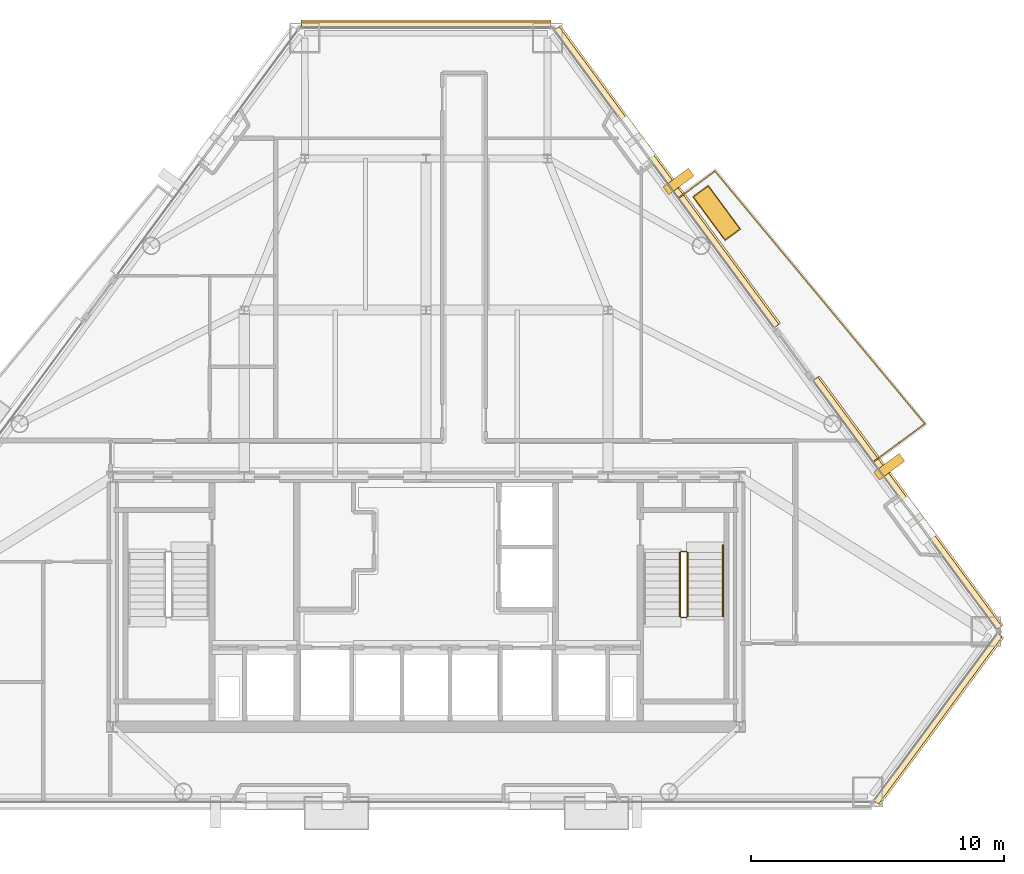
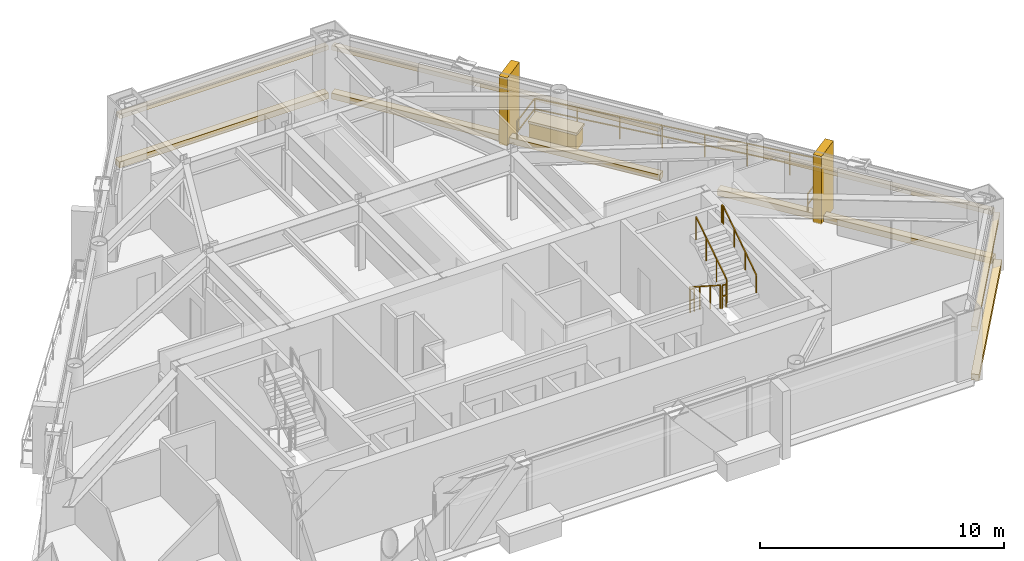
# One storey, part 11 of 11: 12 coverings, 6 railings.
"""IFC4 building model written with IfcOpenShell, lengths in metres."""

import ifcopenshell
import ifcopenshell.guid

model = None  # the IFC model being written
_history = None  # IfcOwnerHistory: only IFC2X3 demands one
_inside = {}  # id of a spatial element -> (the spatial element, [elements in it])
_under = {}  # id of a project, library or spatial element -> (it, [spatial elements below it])
_declared = {}  # id of a project -> (the project, [libraries it declares])
_typed = {}  # id of a type object -> (the type object, [elements of that type])
_made_of = {}  # id of a material, layer set ... -> (it, [elements and type objects made of it])


def new_model(schema):
    """Start an empty IFC model of exactly this schema.

    Asked for "IFC4X3", IfcOpenShell would pick the latest addendum, in which some entities
    have other attributes; the version numbers below select the first issue.
    IFC2X3 requires an IfcOwnerHistory on every rooted entity: one is made here for all.
    """
    global model, _history
    if schema == "IFC4X3":
        model = ifcopenshell.file(schema_version=(4, 3, 0, 0))
    else:
        model = ifcopenshell.file(schema=schema)
    _inside.clear()
    _under.clear()
    _declared.clear()
    _typed.clear()
    _made_of.clear()
    _history = None
    if model.schema == "IFC2X3":
        org = make("IfcOrganization", Name="unknown")
        user = make(
            "IfcPersonAndOrganization",
            ThePerson=make("IfcPerson", FamilyName="unknown"),
            TheOrganization=org,
        )
        app = make(
            "IfcApplication",
            ApplicationDeveloper=org,
            Version="unknown",
            ApplicationFullName="unknown",
            ApplicationIdentifier="unknown",
        )
        _history = make(
            "IfcOwnerHistory",
            OwningUser=user,
            OwningApplication=app,
            ChangeAction="ADDED",
            CreationDate=0,
        )
    return model


def make(cls, **values):
    """One entity of the class cls with the attributes given. An attribute that is None is left unset."""
    return model.create_entity(
        cls, **{name: value for name, value in values.items() if value is not None}
    )


def rooted(cls, **values):
    """An entity with a GlobalId (a new one), such as an element, a storey or a relation."""
    return make(cls, GlobalId=ifcopenshell.guid.new(), OwnerHistory=_history, **values)


def si_unit(unit_type, name, prefix=None):
    """IfcSIUnit, for example si_unit("LENGTHUNIT", "METRE", prefix="MILLI")."""
    return make("IfcSIUnit", UnitType=unit_type, Prefix=prefix, Name=name)


def assignment(units):
    """IfcUnitAssignment: the units of a project."""
    return None if units is None else make("IfcUnitAssignment", Units=units)


def point(xyz):
    """IfcCartesianPoint."""
    return None if xyz is None else make("IfcCartesianPoint", Coordinates=xyz)


def direction(xyz):
    """IfcDirection."""
    return None if xyz is None else make("IfcDirection", DirectionRatios=xyz)


def frame(location, z_axis=None, x_axis=None):
    """IfcAxis2Placement3D, a coordinate frame: its origin and axes. An axis left out is left unset."""
    return make(
        "IfcAxis2Placement3D",
        Location=point(location),
        Axis=direction(z_axis),
        RefDirection=direction(x_axis),
    )


def frame_2d(location, x_axis=None):
    """IfcAxis2Placement2D, a coordinate frame in the plane: its origin and x axis."""
    return make(
        "IfcAxis2Placement2D", Location=point(location), RefDirection=direction(x_axis)
    )


def origin():
    """The frame at (0, 0, 0) with its axes left unset."""
    return frame((0.0, 0.0, 0.0))


def origin_2d():
    """The frame at (0, 0) in the plane with its x axis left unset."""
    return frame_2d((0.0, 0.0))


def place(relative_to, where):
    """IfcLocalPlacement: puts the frame where relative to a parent placement (None: the world)."""
    return make(
        "IfcLocalPlacement", PlacementRelTo=relative_to, RelativePlacement=where
    )


def context(
    kind, dimensions, precision=None, world=None, true_north=None, identifier=None
):
    """IfcGeometricRepresentationContext, for example the 3D "Model" context."""
    return make(
        "IfcGeometricRepresentationContext",
        ContextIdentifier=identifier,
        ContextType=kind,
        CoordinateSpaceDimension=dimensions,
        Precision=precision,
        WorldCoordinateSystem=world,
        TrueNorth=true_north,
    )


def subcontext(parent, identifier, kind, view, scale=None):
    """IfcGeometricRepresentationSubContext, for example "Body" below "Model"."""
    return make(
        "IfcGeometricRepresentationSubContext",
        ContextIdentifier=identifier,
        ContextType=kind,
        ParentContext=parent,
        TargetScale=scale,
        TargetView=view,
    )


def project(units=None, contexts=None):
    """IfcProject with its units and contexts."""
    return rooted(
        "IfcProject",
        Name="project",
        RepresentationContexts=contexts,
        UnitsInContext=assignment(units),
    )


def spatial(cls, under=None, at=None, **own):
    """A site, building, storey or space (cls), placed at a placement, below another one or the project."""
    s = rooted(cls, ObjectPlacement=at, **own)
    if under is not None:
        _under.setdefault(under.id(), (under, []))[1].append(s)
    return s


def profile(cls, at=None, kind="AREA", **sizes):
    """A parametric profile (cls). Its sizes go by their IFC names, for example OverallWidth=200.0."""
    return make(cls, ProfileType=kind, Position=at, **sizes)


def rectangle(**sizes):
    """IfcRectangleProfileDef."""
    return profile("IfcRectangleProfileDef", **sizes)


def extrude(swept, where, along, depth):
    """IfcExtrudedAreaSolid: the profile swept, set in the frame where, extruded along a direction by depth."""
    return make(
        "IfcExtrudedAreaSolid",
        SweptArea=swept,
        Position=where,
        ExtrudedDirection=direction(along),
        Depth=depth,
    )


def shape(context_of_items, identifier, shape_type, items):
    """IfcShapeRepresentation: the items that make up one representation, for example the "Body"."""
    return make(
        "IfcShapeRepresentation",
        ContextOfItems=context_of_items,
        RepresentationIdentifier=identifier,
        RepresentationType=shape_type,
        Items=items,
    )


def material(Name=None, Category=None):
    """IfcMaterial."""
    return make("IfcMaterial", Name=Name, Category=Category)


def layer(
    of_material, thickness, ventilated=None, Name=None, Category=None, Priority=None
):
    """IfcMaterialLayer: one layer of a wall or slab, of a material (None: an air gap)."""
    return make(
        "IfcMaterialLayer",
        Material=of_material,
        LayerThickness=thickness,
        IsVentilated=ventilated,
        Name=Name,
        Category=Category,
        Priority=Priority,
    )


def layer_set(layers, Name=None):
    """IfcMaterialLayerSet."""
    return make("IfcMaterialLayerSet", MaterialLayers=layers, LayerSetName=Name)


def made_of(thing, what):
    """Note that an element or type object is made of a material, layer set ...; save() writes the relation."""
    if what is not None:
        _made_of.setdefault(what.id(), (what, []))[1].append(thing)
    return thing


def type_object(cls, material=None, **own):
    """A type object (cls), such as IfcWallType, which elements share."""
    return made_of(rooted(cls, **own), material)


def element(
    cls,
    number,
    at=None,
    inside=None,
    cuts=None,
    type_object=None,
    material=None,
    context=None,
    identifier="Body",
    shape_type=None,
    held_by="IfcProductDefinitionShape",
    body=None,
    shapes=None,
    **own,
):
    """One element of the class cls, such as IfcWall. Its Tag is "e" and its number.

    at: its placement. inside: the storey or other place that contains it. cuts: it is an
    opening in that element (IfcRelVoidsElement). A single representation is given by context,
    identifier, shape_type and body (its items); several are given by shapes. held_by: the class
    of the entity that holds the representations. save() writes the other relations.
    """
    e = rooted(cls, Tag="e%d" % number, ObjectPlacement=at, **own)
    if body is not None:
        shapes = [shape(context, identifier, shape_type, body)]
    if shapes is not None:
        e.Representation = make(held_by, Representations=shapes)
    if inside is not None:
        _inside.setdefault(inside.id(), (inside, []))[1].append(e)
    if cuts is not None:
        rooted(
            "IfcRelVoidsElement", RelatingBuildingElement=cuts, RelatedOpeningElement=e
        )
    if type_object is not None:
        _typed.setdefault(type_object.id(), (type_object, []))[1].append(e)
    return made_of(e, material)


def aggregate(whole, parts):
    """IfcRelAggregates: a whole, such as a stair, and the parts it consists of."""
    return rooted("IfcRelAggregates", RelatingObject=whole, RelatedObjects=parts)


def save(model, path):
    """Write the relations noted so far, then the file.

    IfcRelAggregates (storeys below a building ...), IfcRelContainedInSpatialStructure (elements
    in a storey), IfcRelDefinesByType, IfcRelAssociatesMaterial and IfcRelDeclares: one each for
    every whole, place, type object, material and project.
    """
    for whole, parts in _under.values():
        aggregate(whole, parts)
    for where, things in _inside.values():
        rooted(
            "IfcRelContainedInSpatialStructure",
            RelatedElements=things,
            RelatingStructure=where,
        )
    for kind, things in _typed.values():
        rooted("IfcRelDefinesByType", RelatedObjects=things, RelatingType=kind)
    for what, things in _made_of.values():
        rooted("IfcRelAssociatesMaterial", RelatedObjects=things, RelatingMaterial=what)
    for by, libraries in _declared.values():
        rooted("IfcRelDeclares", RelatingContext=by, RelatedDefinitions=libraries)
    model.write(path)


model = new_model("IFC4")

# Units and contexts
model_context = context("Model", 3, precision=1e-05, world=origin(), true_north=direction((0.0, 1.0)))
body_context = subcontext(model_context, "Body", "Model", "MODEL_VIEW")
ifc_project = project(units=[si_unit("LENGTHUNIT", "METRE"), si_unit("AREAUNIT", "SQUARE_METRE"), si_unit("VOLUMEUNIT", "CUBIC_METRE"), si_unit("PLANEANGLEUNIT", "RADIAN"), si_unit("MASSUNIT", "GRAM", prefix="KILO")], contexts=[model_context])

# Site, building, storey
site_placement = place(None, origin())
site = spatial("IfcSite", under=ifc_project, at=site_placement, CompositionType="ELEMENT")
building_placement = place(site_placement, origin())
building = spatial("IfcBuilding", under=site, at=building_placement, Name="Talgorran Terracotta Tower", CompositionType="ELEMENT")
storey_placement = place(building_placement, frame((0.0, 0.0, 143.699951171875)))
storey = spatial("IfcBuildingStorey", under=building, at=storey_placement, Name="L37", CompositionType="ELEMENT", Elevation=143.699951171875)

# Coverings
ifc_material_1 = material(Name="Kiln-Fired Terracotta Ochre Ceramic", Category="masonry")
ifc_layer_1 = layer(ifc_material_1, 0.179931640625, Name="COV_BAGUETTE_TERRACOTTA_SCREEN")
ifc_layer_set_1 = layer_set([ifc_layer_1], Name="Kiln-Fired Terracotta Ochre Ceramic")
covering_type_1 = type_object("IfcCoveringType", Name="COV_BAGUETTE_TERRACOTTA_SCREEN", PredefinedType="CLADDING", material=ifc_layer_set_1)
covering_1_placement = place(storey_placement, frame((20.255859375, -13.76220703125, 2.41015625), z_axis=(0.0, 0.0, 1.0), x_axis=(0.594078945078, 0.804406742274, 0.0)))
element("IfcCovering", 1, at=covering_1_placement, inside=storey, type_object=covering_type_1, Name="L37 Terracotta Baguette Solar Screen Assembly F2", PredefinedType="CLADDING", context=body_context, shape_type="SweptSolid", body=[
    extrude(rectangle(XDim=8.242919921875, YDim=0.260009765625, at=origin_2d()), origin(), (0.0, 0.0, 1.0), 0.219970703125),
])
covering_2_placement = place(storey_placement, frame((19.041748046875, -5.256103515625, 2.41015625), z_axis=(0.0, 0.0, 1.0), x_axis=(-0.594078945078, 0.804406742274, 0.0)))
element("IfcCovering", 2, at=covering_2_placement, inside=storey, type_object=covering_type_1, Name="L37 Terracotta Baguette Solar Screen Assembly F40", PredefinedType="CLADDING", context=body_context, shape_type="SweptSolid", body=[
    extrude(rectangle(XDim=12.25048828125, YDim=0.260009765625, at=origin_2d()), origin(), (0.0, 0.0, 1.0), 0.219970703125),
])
covering_3_placement = place(storey_placement, frame((9.506103515625, 7.65576171875, 2.41015625), z_axis=(0.0, 0.0, 1.0), x_axis=(-0.594078945078, 0.804406742274, 0.0)))
element("IfcCovering", 3, at=covering_3_placement, inside=storey, type_object=covering_type_1, Name="L37 Terracotta Baguette Solar Screen Assembly F41", PredefinedType="CLADDING", context=body_context, shape_type="SweptSolid", body=[
    extrude(rectangle(XDim=14.652099609375, YDim=0.260009765625, at=origin_2d()), origin(), (0.0, 0.0, 1.0), 0.219970703125),
])
covering_4_placement = place(storey_placement, frame((0.0, 13.677978515625, 2.41015625), z_axis=(0.0, 0.0, 1.0), x_axis=(-1.0, 0.0, 0.0)))
element("IfcCovering", 4, at=covering_4_placement, inside=storey, type_object=covering_type_1, Name="L37 Terracotta Baguette Solar Screen Assembly F4", PredefinedType="CLADDING", context=body_context, shape_type="SweptSolid", body=[
    extrude(rectangle(XDim=9.8759765625, YDim=0.260009765625, at=origin_2d()), origin(), (0.0, 0.0, 1.0), 0.219970703125),
])
ifc_material_2 = material(Name="Honed Limestone and Terracotta Planter", Category="masonry")
ifc_layer_2 = layer(ifc_material_2, 0.1201171875, Name="COV_PLANTER_BOX")
ifc_layer_set_2 = layer_set([ifc_layer_2], Name="Honed Limestone and Terracotta Planter")
covering_type_2 = type_object("IfcCoveringType", Name="COV_PLANTER_BOX", PredefinedType="CLADDING", material=ifc_layer_set_2)
covering_5_placement = place(storey_placement, frame((11.502197265625, 6.248779296875, -0.02001953125), z_axis=(0.0, 0.0, 1.0), x_axis=(-0.594078945078, 0.804406742274, 0.0)))
element("IfcCovering", 5, at=covering_5_placement, inside=storey, type_object=covering_type_2, Name="L37 Staggered Balcony Planter Box BAL-NE", PredefinedType="CLADDING", context=body_context, shape_type="SweptSolid", body=[
    extrude(rectangle(XDim=2.10009765625, YDim=0.719970703125, at=origin_2d()), origin(), (0.0, 0.0, 1.0), 0.860107421875),
])
ifc_material_3 = material(Name="Kiln-Fired Terracotta Planter Rim", Category="masonry")
ifc_layer_3 = layer(ifc_material_3, 0.10009765625, Name="COV_PLANTER_RIM")
ifc_layer_set_3 = layer_set([ifc_layer_3], Name="Kiln-Fired Terracotta Planter Rim")
covering_type_3 = type_object("IfcCoveringType", Name="COV_PLANTER_RIM", PredefinedType="CLADDING", material=ifc_layer_set_3)
covering_6_placement = place(storey_placement, frame((11.502197265625, 6.248779296875, 0.800048828125), z_axis=(0.0, 0.0, 1.0), x_axis=(-0.594078945078, 0.804406742274, 0.0)))
element("IfcCovering", 6, at=covering_6_placement, inside=storey, type_object=covering_type_3, Name="L37 Balcony Planter Terracotta Rim BAL-NE", PredefinedType="CLADDING", context=body_context, shape_type="SweptSolid", body=[
    extrude(rectangle(XDim=2.179931640625, YDim=0.780029296875, at=origin_2d()), origin(), (0.0, 0.0, 1.0), 0.1201171875),
])
ifc_material_4 = material(Name="Honed Limestone Cladding", Category="masonry")
ifc_layer_4 = layer(ifc_material_4, 0.094970703125, Name="COV_PORTAL_LIME")
ifc_layer_set_4 = layer_set([ifc_layer_4], Name="Honed Limestone Cladding")
covering_type_4 = type_object("IfcCoveringType", Name="COV_PORTAL_LIME", PredefinedType="CLADDING", material=ifc_layer_set_4)
covering_7_placement = place(storey_placement, frame((18.337158203125, -3.797119140625, -0.0498046875), z_axis=(0.0, 0.0, 1.0), x_axis=(-0.594078945078, 0.804406742274, 0.0)))
element("IfcCovering", 7, at=covering_7_placement, inside=storey, type_object=covering_type_4, Name="L37 White Striped Portal Fin F3-1", PredefinedType="CLADDING", context=body_context, shape_type="SweptSolid", body=[
    extrude(rectangle(XDim=0.3798828125, YDim=1.25, at=origin_2d()), origin(), (0.0, 0.0, 1.0), 3.39990234375),
])
ifc_material_5 = material(Name="Kiln-Fired Terracotta Cladding", Category="masonry")
ifc_layer_5 = layer(ifc_material_5, 0.090087890625, Name="COV_PORTAL_TERRA")
ifc_layer_set_5 = layer_set([ifc_layer_5], Name="Kiln-Fired Terracotta Cladding")
covering_type_5 = type_object("IfcCoveringType", Name="COV_PORTAL_TERRA", PredefinedType="CLADDING", material=ifc_layer_set_5)
covering_8_placement = place(storey_placement, frame((20.2880859375, -13.785888671875, -0.0400390625), z_axis=(0.0, 0.0, 1.0), x_axis=(0.594078945078, 0.804406742274, 0.0)))
element("IfcCovering", 8, at=covering_8_placement, inside=storey, type_object=covering_type_5, Name="L37 Striped Postmodern Portal Cladding Band F2", PredefinedType="CLADDING", context=body_context, shape_type="SweptSolid", body=[
    extrude(rectangle(XDim=8.2626953125, YDim=0.340087890625, at=origin_2d()), origin(), (0.0, 0.0, 1.0), 0.300048828125),
])
covering_9_placement = place(storey_placement, frame((19.073974609375, -5.232421875, -0.0400390625), z_axis=(0.0, 0.0, 1.0), x_axis=(-0.594078945078, 0.804406742274, 0.0)))
element("IfcCovering", 9, at=covering_9_placement, inside=storey, type_object=covering_type_5, Name="L37 Striped Postmodern Portal Cladding Band F40", PredefinedType="CLADDING", context=body_context, shape_type="SweptSolid", body=[
    extrude(rectangle(XDim=12.2705078125, YDim=0.340087890625, at=origin_2d()), origin(), (0.0, 0.0, 1.0), 0.300048828125),
])
covering_10_placement = place(storey_placement, frame((9.5380859375, 7.679443359375, -0.0400390625), z_axis=(0.0, 0.0, 1.0), x_axis=(-0.594078945078, 0.804406742274, 0.0)))
element("IfcCovering", 10, at=covering_10_placement, inside=storey, type_object=covering_type_5, Name="L37 Striped Postmodern Portal Cladding Band F41", PredefinedType="CLADDING", context=body_context, shape_type="SweptSolid", body=[
    extrude(rectangle(XDim=14.672119140625, YDim=0.340087890625, at=origin_2d()), origin(), (0.0, 0.0, 1.0), 0.300048828125),
])
covering_11_placement = place(storey_placement, frame((0.0, 13.718017578125, -0.0400390625), z_axis=(0.0, 0.0, 1.0), x_axis=(-1.0, 0.0, 0.0)))
element("IfcCovering", 11, at=covering_11_placement, inside=storey, type_object=covering_type_5, Name="L37 Striped Postmodern Portal Cladding Band F4", PredefinedType="CLADDING", context=body_context, shape_type="SweptSolid", body=[
    extrude(rectangle(XDim=9.89599609375, YDim=0.340087890625, at=origin_2d()), origin(), (0.0, 0.0, 1.0), 0.300048828125),
])
covering_12_placement = place(storey_placement, frame((9.99658203125, 7.49658203125, -0.0498046875), z_axis=(0.0, 0.0, 1.0), x_axis=(-0.594078945078, 0.804406742274, 0.0)))
element("IfcCovering", 12, at=covering_12_placement, inside=storey, type_object=covering_type_5, Name="L37 Terracotta Striped Portal Fin F3-2", PredefinedType="CLADDING", context=body_context, shape_type="SweptSolid", body=[
    extrude(rectangle(XDim=0.3798828125, YDim=1.25, at=origin_2d()), origin(), (0.0, 0.0, 1.0), 3.39990234375),
])

# Railings
ifc_material_6 = material(Name="Laminated Glass and Stainless Steel 316", Category="steel")
railing_type_1 = type_object("IfcRailingType", Name="RL_BALCONY_1150", PredefinedType="BALUSTRADE", material=ifc_material_6)
railing_1_placement = place(storey_placement, frame((17.7177734375, -3.59814453125, 0.0)))
element("IfcRailing", 13, at=railing_1_placement, inside=storey, type_object=railing_type_1, Name="RL-L37-BAL-BAL-NE", PredefinedType="BALUSTRADE", context=body_context, shape_type="SweptSolid", body=[
    extrude(rectangle(XDim=0.048095703125, YDim=0.048095703125, at=origin_2d()), frame((0.0, 0.0, 1.1259765625), z_axis=(0.804439673609, 0.594034352141, 0.0), x_axis=(-0.594034352141, 0.804439673609, 0.0)), (0.0, 0.0, 1.0), 2.521484375),
    extrude(rectangle(XDim=0.048095703125, YDim=0.048095703125, at=origin_2d()), frame((0.0, 0.0, 0.597900390625), z_axis=(0.804439673609, 0.594034352141, 0.0), x_axis=(-0.594034352141, 0.804439673609, 0.0)), (0.0, 0.0, 1.0), 2.521484375),
    extrude(rectangle(XDim=0.048095703125, YDim=0.048095703125, at=origin_2d()), frame((2.0283203125, 1.497802734375, 1.1259765625), z_axis=(-0.638926047412, 0.769268162567, 0.0), x_axis=(-0.769268162567, -0.638926047412, 0.0)), (0.0, 0.0, 1.0), 13.0048828125),
    extrude(rectangle(XDim=0.048095703125, YDim=0.048095703125, at=origin_2d()), frame((2.0283203125, 1.497802734375, 0.597900390625), z_axis=(-0.638926047412, 0.769268162567, 0.0), x_axis=(-0.769268162567, -0.638926047412, 0.0)), (0.0, 0.0, 1.0), 13.0048828125),
    extrude(rectangle(XDim=0.048095703125, YDim=0.048095703125, at=origin_2d()), frame((-6.28076171875, 11.501953125, 1.1259765625), z_axis=(-0.804404034512, -0.594082611478, 0.0), x_axis=(0.594082611478, -0.804404034512, 0.0)), (0.0, 0.0, 1.0), 1.78076171875),
    extrude(rectangle(XDim=0.048095703125, YDim=0.048095703125, at=origin_2d()), frame((-6.28076171875, 11.501953125, 0.597900390625), z_axis=(-0.804404034512, -0.594082611478, 0.0), x_axis=(0.594082611478, -0.804404034512, 0.0)), (0.0, 0.0, 1.0), 1.78076171875),
    extrude(rectangle(XDim=0.0419921875, YDim=0.0419921875, at=origin_2d()), origin(), (0.0, 0.0, 1.0), 1.101806640625),
    extrude(rectangle(XDim=0.0419921875, YDim=0.0419921875, at=origin_2d()), frame((1.01416015625, 0.7490234375, 0.0)), (0.0, 0.0, 1.0), 1.101806640625),
    extrude(rectangle(XDim=0.0419921875, YDim=0.0419921875, at=origin_2d()), frame((2.0283203125, 1.497802734375, 0.0)), (0.0, 0.0, 1.0), 1.101806640625),
    extrude(rectangle(XDim=0.0419921875, YDim=0.0419921875, at=origin_2d()), frame((0.84130859375, 2.927001953125, 0.0)), (0.0, 0.0, 1.0), 1.101806640625),
    extrude(rectangle(XDim=0.0419921875, YDim=0.0419921875, at=origin_2d()), frame((-0.345703125, 4.356201171875, 0.0)), (0.0, 0.0, 1.0), 1.101806640625),
    extrude(rectangle(XDim=0.0419921875, YDim=0.0419921875, at=origin_2d()), frame((-1.53271484375, 5.785400390625, 0.0)), (0.0, 0.0, 1.0), 1.101806640625),
    extrude(rectangle(XDim=0.0419921875, YDim=0.0419921875, at=origin_2d()), frame((-2.7197265625, 7.21435546875, 0.0)), (0.0, 0.0, 1.0), 1.101806640625),
    extrude(rectangle(XDim=0.0419921875, YDim=0.0419921875, at=origin_2d()), frame((-3.90673828125, 8.6435546875, 0.0)), (0.0, 0.0, 1.0), 1.101806640625),
    extrude(rectangle(XDim=0.0419921875, YDim=0.0419921875, at=origin_2d()), frame((-5.09375, 10.07275390625, 0.0)), (0.0, 0.0, 1.0), 1.101806640625),
    extrude(rectangle(XDim=0.0419921875, YDim=0.0419921875, at=origin_2d()), frame((-6.28076171875, 11.501953125, 0.0)), (0.0, 0.0, 1.0), 1.101806640625),
    extrude(rectangle(XDim=0.0419921875, YDim=0.0419921875, at=origin_2d()), frame((-7.713134765625, 10.444091796875, 0.0)), (0.0, 0.0, 1.0), 1.101806640625),
])
ifc_material_7 = material(Name="Steel S355 (300PLUS)", Category="steel")
railing_type_2 = type_object("IfcRailingType", Name="RL_HANDRAIL_920", PredefinedType="HANDRAIL", material=ifc_material_7)
railing_2_placement = place(storey_placement, frame((11.75, -9.719970703125, 1.97998046875)))
element("IfcRailing", 14, at=railing_2_placement, inside=storey, type_object=railing_type_2, Name="L37 ST-02 stair handrail 2", PredefinedType="HANDRAIL", context=body_context, shape_type="SweptSolid", body=[
    extrude(rectangle(XDim=0.048095703125, YDim=0.048095703125, at=origin_2d()), frame((0.0, 0.0, 0.89599609375), z_axis=(0.0, 0.832038719335, 0.554717558338), x_axis=(-1.0, 0.0, 0.0)), (0.0, 0.0, 1.0), 3.244873046875),
    extrude(rectangle(XDim=0.048095703125, YDim=0.048095703125, at=origin_2d()), frame((0.0, 2.699951171875, 2.69580078125), z_axis=(0.0, 1.0, 0.0), x_axis=(-1.0, 0.0, 0.0)), (0.0, 0.0, 1.0), 0.1201171875),
    extrude(rectangle(XDim=0.0419921875, YDim=0.0419921875, at=origin_2d()), origin(), (0.0, 0.0, 1.0), 0.871826171875),
    extrude(rectangle(XDim=0.0419921875, YDim=0.0419921875, at=origin_2d()), frame((0.0, 0.89990234375, 0.60009765625)), (0.0, 0.0, 1.0), 0.871826171875),
    extrude(rectangle(XDim=0.0419921875, YDim=0.0419921875, at=origin_2d()), frame((0.0, 1.800048828125, 1.199951171875)), (0.0, 0.0, 1.0), 0.871826171875),
    extrude(rectangle(XDim=0.0419921875, YDim=0.0419921875, at=origin_2d()), frame((0.0, 2.699951171875, 1.800048828125)), (0.0, 0.0, 1.0), 0.871826171875),
    extrude(rectangle(XDim=0.0419921875, YDim=0.0419921875, at=origin_2d()), frame((0.0, 2.820068359375, 1.800048828125)), (0.0, 0.0, 1.0), 0.871826171875),
])
railing_type_3 = type_object("IfcRailingType", Name="RL_STAIR_GUARD", PredefinedType="GUARDRAIL", material=ifc_material_7)
railing_3_placement = place(storey_placement, frame((10.050048828125, -7.199951171875, 0.179931640625)))
element("IfcRailing", 15, at=railing_3_placement, inside=storey, type_object=railing_type_3, Name="L37 ST-02 stair guard 1", PredefinedType="GUARDRAIL", context=body_context, shape_type="SweptSolid", body=[
    extrude(rectangle(XDim=0.048095703125, YDim=0.048095703125, at=origin_2d()), frame((0.0, 0.0, 1.15576171875), z_axis=(0.0, -0.841162588446, 0.540782303519), x_axis=(1.0, 0.0, 0.0)), (0.0, 0.0, 1.0), 2.995849609375),
    extrude(rectangle(XDim=0.0419921875, YDim=0.0419921875, at=origin_2d()), origin(), (0.0, 0.0, 1.0), 1.1318359375),
    extrude(rectangle(XDim=0.0419921875, YDim=0.0419921875, at=origin_2d()), frame((0.0, -0.840087890625, 0.5400390625)), (0.0, 0.0, 1.0), 1.1318359375),
    extrude(rectangle(XDim=0.0419921875, YDim=0.0419921875, at=origin_2d()), frame((0.0, -1.679931640625, 1.080078125)), (0.0, 0.0, 1.0), 1.1318359375),
    extrude(rectangle(XDim=0.0419921875, YDim=0.0419921875, at=origin_2d()), frame((0.0, -2.52001953125, 1.6201171875)), (0.0, 0.0, 1.0), 1.1318359375),
])
railing_4_placement = place(storey_placement, frame((10.10009765625, -9.77001953125, 1.800048828125)))
element("IfcRailing", 16, at=railing_4_placement, inside=storey, type_object=railing_type_3, Name="L37 ST-02 stair guard 2", PredefinedType="GUARDRAIL", context=body_context, shape_type="SweptSolid", body=[
    extrude(rectangle(XDim=0.048095703125, YDim=0.048095703125, at=origin_2d()), frame((0.0, 0.0, 1.15576171875), z_axis=(1.0, 0.0, 0.0), x_axis=(0.0, 1.0, 0.0)), (0.0, 0.0, 1.0), 0.199951171875),
    extrude(rectangle(XDim=0.048095703125, YDim=0.048095703125, at=origin_2d()), frame((0.0, 0.0, 0.613525390625), z_axis=(1.0, 0.0, 0.0), x_axis=(0.0, 1.0, 0.0)), (0.0, 0.0, 1.0), 0.199951171875),
    extrude(rectangle(XDim=0.0419921875, YDim=0.0419921875, at=origin_2d()), origin(), (0.0, 0.0, 1.0), 1.1318359375),
    extrude(rectangle(XDim=0.0419921875, YDim=0.0419921875, at=origin_2d()), frame((0.199951171875, 0.0, 0.0)), (0.0, 0.0, 1.0), 1.1318359375),
])
railing_5_placement = place(storey_placement, frame((10.35009765625, -9.719970703125, 1.97998046875)))
element("IfcRailing", 17, at=railing_5_placement, inside=storey, type_object=railing_type_3, Name="L37 ST-02 stair guard 3", PredefinedType="GUARDRAIL", context=body_context, shape_type="SweptSolid", body=[
    extrude(rectangle(XDim=0.048095703125, YDim=0.048095703125, at=origin_2d()), frame((0.0, 0.0, 1.15576171875), z_axis=(0.0, 0.841162588446, 0.540782303519), x_axis=(-1.0, 0.0, 0.0)), (0.0, 0.0, 1.0), 2.995849609375),
    extrude(rectangle(XDim=0.0419921875, YDim=0.0419921875, at=origin_2d()), origin(), (0.0, 0.0, 1.0), 1.1318359375),
    extrude(rectangle(XDim=0.0419921875, YDim=0.0419921875, at=origin_2d()), frame((0.0, 0.840087890625, 0.5400390625)), (0.0, 0.0, 1.0), 1.1318359375),
    extrude(rectangle(XDim=0.0419921875, YDim=0.0419921875, at=origin_2d()), frame((0.0, 1.679931640625, 1.080078125)), (0.0, 0.0, 1.0), 1.1318359375),
    extrude(rectangle(XDim=0.0419921875, YDim=0.0419921875, at=origin_2d()), frame((0.0, 2.52001953125, 1.6201171875)), (0.0, 0.0, 1.0), 1.1318359375),
])
railing_6_placement = place(storey_placement, frame((10.10009765625, -7.14990234375, 0.0)))
element("IfcRailing", 18, at=railing_6_placement, inside=storey, type_object=railing_type_3, Name="L37 ST-02 stair guard 4", PredefinedType="GUARDRAIL", context=body_context, shape_type="SweptSolid", body=[
    extrude(rectangle(XDim=0.048095703125, YDim=0.048095703125, at=origin_2d()), frame((0.0, 0.0, 1.15576171875), z_axis=(1.0, 0.0, 0.0), x_axis=(0.0, 1.0, 0.0)), (0.0, 0.0, 1.0), 0.199951171875),
    extrude(rectangle(XDim=0.048095703125, YDim=0.048095703125, at=origin_2d()), frame((0.0, 0.0, 0.613525390625), z_axis=(1.0, 0.0, 0.0), x_axis=(0.0, 1.0, 0.0)), (0.0, 0.0, 1.0), 0.199951171875),
    extrude(rectangle(XDim=0.0419921875, YDim=0.0419921875, at=origin_2d()), origin(), (0.0, 0.0, 1.0), 1.1318359375),
    extrude(rectangle(XDim=0.0419921875, YDim=0.0419921875, at=origin_2d()), frame((0.199951171875, 0.0, 0.0)), (0.0, 0.0, 1.0), 1.1318359375),
])

save(model, "model.ifc")
